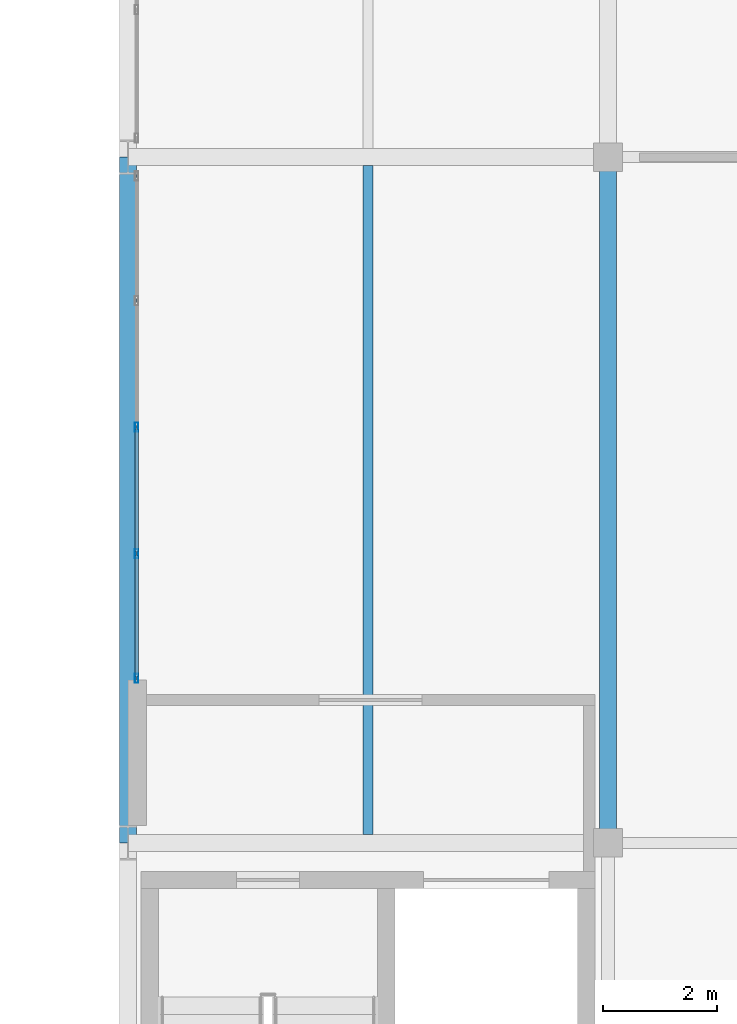
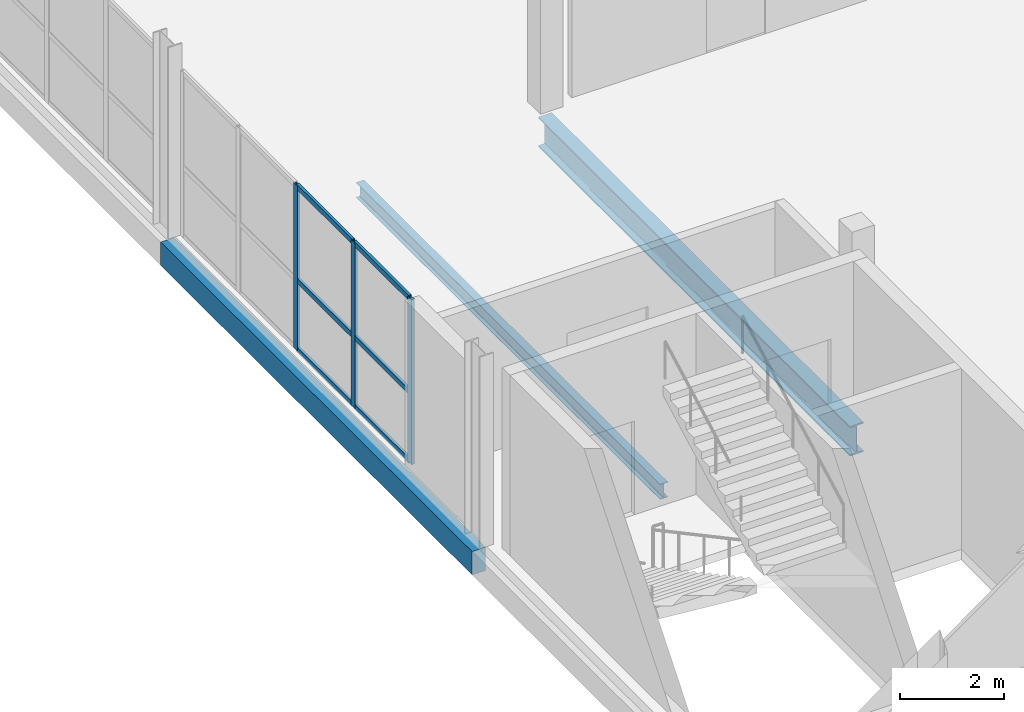
# One storey, part 74 of 109: 9 members, 3 beams, 1 element without a shape of its own.
"""IFC4 building model written with IfcOpenShell, lengths in metres."""

from ifc_helpers import new_model, si_unit, direction, frame, origin, origin_2d, place, context, subcontext, project, spatial, rectangle, hollow_rectangle, i_section, extrude, material, material_profile, profile_set, type_object, element, aggregate, save


model = new_model("IFC4")

# Units and contexts
model_context = context("Model", 3, precision=1e-05, world=origin(), true_north=direction((0.0, 1.0)))
body_context = subcontext(model_context, "Body", "Model", "MODEL_VIEW")
ifc_project = project(units=[si_unit("LENGTHUNIT", "METRE"), si_unit("AREAUNIT", "SQUARE_METRE"), si_unit("VOLUMEUNIT", "CUBIC_METRE"), si_unit("PLANEANGLEUNIT", "RADIAN"), si_unit("MASSUNIT", "GRAM", prefix="KILO")], contexts=[model_context])

# Site, building, storey
site_placement = place(None, origin())
site = spatial("IfcSite", under=ifc_project, at=site_placement, CompositionType="ELEMENT")
building_placement = place(site_placement, origin())
building = spatial("IfcBuilding", under=site, at=building_placement, Name="Veltarok Museum of Natural Sciences", CompositionType="ELEMENT")
storey_placement = place(building_placement, frame((0.0, 0.0, 17.39990234375)))
storey = spatial("IfcBuildingStorey", under=building, at=storey_placement, Name="L03", CompositionType="ELEMENT", Elevation=17.39990234375)

# Curtain wall, members
ifc_material_1 = material(Name="Low-iron triple insulated glass", Category="glass")
curtain_wall_type = type_object("IfcCurtainWallType", Name="Curtain Wall System CW-V5CW-L03-0-885x388 (CW-V5CW L03 885x388cm)", PredefinedType="NOTDEFINED", material=ifc_material_1)
curtain_wall_placement = place(storey_placement, origin())
curtain_wall = element("IfcCurtainWall", 1, at=curtain_wall_placement, inside=storey, type_object=curtain_wall_type, Name="Curtain Wall CW-V5CW-L03-0-885x388 CW-0180", PredefinedType="NOTDEFINED")
ifc_material_2 = material(Name="Thermally broken anodised aluminium", Category="aluminium")
ifc_material_profile_1 = material_profile(ifc_material_2, hollow_rectangle(XDim=0.06005859375, YDim=0.1201171875, WallThickness=0.0048828125, at=origin_2d()), Name="CW TRANSOM 60x120x5")
ifc_profile_set_1 = profile_set([ifc_material_profile_1], Name="Thermally broken anodised aluminium")
member_type_1 = type_object("IfcMemberType", Name="Curtain Wall Horizontal Transom 60x120x5", PredefinedType="USERDEFINED", material=ifc_profile_set_1)
member_1_placement = place(storey_placement, frame((132.550048828125, 38.909912109375, 0.028076171875), z_axis=(0.0, 1.0, 0.0), x_axis=(-1.0, 0.0, 0.0)))
member_1 = element("IfcMember", 2, at=member_1_placement, type_object=member_type_1, Name="CW-V5CW-L03-0-885x388 transom 1.1", ObjectType="TRANSOM", PredefinedType="USERDEFINED", context=body_context, shape_type="SweptSolid", body=[
    extrude(hollow_rectangle(XDim=0.06005859375, YDim=0.1201171875, WallThickness=0.0048828125, at=origin_2d()), origin(), (0.0, 0.0, 1.0), 2.12255859375),
])
member_2_placement = place(storey_placement, frame((132.550048828125, 38.909912109375, 1.648193359375), z_axis=(0.0, 1.0, 0.0), x_axis=(-1.0, 0.0, 0.0)))
member_2 = element("IfcMember", 3, at=member_2_placement, type_object=member_type_1, Name="CW-V5CW-L03-0-885x388 transom 1.2", ObjectType="TRANSOM", PredefinedType="USERDEFINED", context=body_context, shape_type="SweptSolid", body=[
    extrude(hollow_rectangle(XDim=0.06005859375, YDim=0.1201171875, WallThickness=0.0048828125, at=origin_2d()), origin(), (0.0, 0.0, 1.0), 2.12255859375),
])
member_3_placement = place(storey_placement, frame((132.550048828125, 38.909912109375, 3.85009765625), z_axis=(0.0, 1.0, 0.0), x_axis=(-1.0, 0.0, 0.0)))
member_3 = element("IfcMember", 4, at=member_3_placement, type_object=member_type_1, Name="CW-V5CW-L03-0-885x388 transom 1.3", ObjectType="TRANSOM", PredefinedType="USERDEFINED", context=body_context, shape_type="SweptSolid", body=[
    extrude(hollow_rectangle(XDim=0.06005859375, YDim=0.1201171875, WallThickness=0.0048828125, at=origin_2d()), origin(), (0.0, 0.0, 1.0), 2.12255859375),
])
member_4_placement = place(storey_placement, frame((132.550048828125, 41.092529296875, 0.028076171875), z_axis=(0.0, 1.0, 0.0), x_axis=(-1.0, 0.0, 0.0)))
member_4 = element("IfcMember", 5, at=member_4_placement, type_object=member_type_1, Name="CW-V5CW-L03-0-885x388 transom 2.1", ObjectType="TRANSOM", PredefinedType="USERDEFINED", context=body_context, shape_type="SweptSolid", body=[
    extrude(hollow_rectangle(XDim=0.06005859375, YDim=0.1201171875, WallThickness=0.0048828125, at=origin_2d()), origin(), (0.0, 0.0, 1.0), 2.152587890625),
])
member_5_placement = place(storey_placement, frame((132.550048828125, 41.092529296875, 1.648193359375), z_axis=(0.0, 1.0, 0.0), x_axis=(-1.0, 0.0, 0.0)))
member_5 = element("IfcMember", 6, at=member_5_placement, type_object=member_type_1, Name="CW-V5CW-L03-0-885x388 transom 2.2", ObjectType="TRANSOM", PredefinedType="USERDEFINED", context=body_context, shape_type="SweptSolid", body=[
    extrude(hollow_rectangle(XDim=0.06005859375, YDim=0.1201171875, WallThickness=0.0048828125, at=origin_2d()), origin(), (0.0, 0.0, 1.0), 2.152587890625),
])
member_6_placement = place(storey_placement, frame((132.550048828125, 41.092529296875, 3.85009765625), z_axis=(0.0, 1.0, 0.0), x_axis=(-1.0, 0.0, 0.0)))
member_6 = element("IfcMember", 7, at=member_6_placement, type_object=member_type_1, Name="CW-V5CW-L03-0-885x388 transom 2.3", ObjectType="TRANSOM", PredefinedType="USERDEFINED", context=body_context, shape_type="SweptSolid", body=[
    extrude(hollow_rectangle(XDim=0.06005859375, YDim=0.1201171875, WallThickness=0.0048828125, at=origin_2d()), origin(), (0.0, 0.0, 1.0), 2.152587890625),
])
ifc_material_profile_2 = material_profile(ifc_material_2, hollow_rectangle(XDim=0.06005859375, YDim=0.159912109375, WallThickness=0.0048828125, at=origin_2d()), Name="CW MULLION 60x160x5")
ifc_profile_set_2 = profile_set([ifc_material_profile_2], Name="Thermally broken anodised aluminium")
member_type_2 = type_object("IfcMemberType", Name="Curtain Wall Vertical Mullion 60x160x5", PredefinedType="MULLION", material=ifc_profile_set_2)
member_7_placement = place(storey_placement, frame((132.550048828125, 38.8798828125, -0.001953125), z_axis=(0.0, 0.0, 1.0), x_axis=(-1.0, 0.0, 0.0)))
member_7 = element("IfcMember", 8, at=member_7_placement, type_object=member_type_2, Name="CW-V5CW-L03-0-885x388 mullion 1", PredefinedType="MULLION", context=body_context, shape_type="SweptSolid", body=[
    extrude(hollow_rectangle(XDim=0.06005859375, YDim=0.159912109375, WallThickness=0.0048828125, at=origin_2d()), origin(), (0.0, 0.0, 1.0), 3.882080078125),
])
member_8_placement = place(storey_placement, frame((132.550048828125, 41.0625, -0.001953125), z_axis=(0.0, 0.0, 1.0), x_axis=(-1.0, 0.0, 0.0)))
member_8 = element("IfcMember", 9, at=member_8_placement, type_object=member_type_2, Name="CW-V5CW-L03-0-885x388 mullion 2", PredefinedType="MULLION", context=body_context, shape_type="SweptSolid", body=[
    extrude(hollow_rectangle(XDim=0.06005859375, YDim=0.159912109375, WallThickness=0.0048828125, at=origin_2d()), origin(), (0.0, 0.0, 1.0), 3.882080078125),
])
member_9_placement = place(storey_placement, frame((132.550048828125, 43.27490234375, -0.001953125), z_axis=(0.0, 0.0, 1.0), x_axis=(-1.0, 0.0, 0.0)))
member_9 = element("IfcMember", 10, at=member_9_placement, type_object=member_type_2, Name="CW-V5CW-L03-0-885x388 mullion 3", PredefinedType="MULLION", context=body_context, shape_type="SweptSolid", body=[
    extrude(hollow_rectangle(XDim=0.06005859375, YDim=0.159912109375, WallThickness=0.0048828125, at=origin_2d()), origin(), (0.0, 0.0, 1.0), 3.882080078125),
])
aggregate(curtain_wall, [member_7, member_8, member_9, member_1, member_2, member_3, member_4, member_5, member_6])

# Beams
ifc_material_3 = material(Name="Precast concrete C40/50", Category="concrete")
ifc_material_profile_3 = material_profile(ifc_material_3, rectangle(XDim=0.300048828125, YDim=0.550048828125, at=origin_2d()), Name="RC 300x550")
ifc_profile_set_3 = profile_set([ifc_material_profile_3], Name="Precast concrete C40/50")
beam_type_1 = type_object("IfcBeamType", Name="East Wing Precast Spandrel RC 300x550", PredefinedType="SPANDREL", material=ifc_profile_set_3)
beam_1_placement = place(storey_placement, frame((132.39990234375, 36.0, -0.52490234375), z_axis=(0.0, 1.0, 0.0), x_axis=(-1.0, 0.0, 0.0)))
element("IfcBeam", 11, at=beam_1_placement, inside=storey, type_object=beam_type_1, Name="Beam BM-SP02 L03 16/E-F", PredefinedType="SPANDREL", context=body_context, shape_type="SweptSolid", body=[
    extrude(rectangle(XDim=0.300048828125, YDim=0.550048828125, at=origin_2d()), origin(), (0.0, 0.0, 1.0), 12.0),
])
ifc_material_4 = material(Name="Steel S355J2", Category="steel")
ifc_material_profile_4 = material_profile(ifc_material_4, i_section(OverallWidth=0.169921875, OverallDepth=0.360107421875, WebThickness=0.008056640625, FlangeThickness=0.0126953125, FilletRadius=0.01806640625, at=origin_2d()), Name="IPE 360")
ifc_profile_set_4 = profile_set([ifc_material_profile_4], Name="Steel S355J2")
beam_type_2 = type_object("IfcBeamType", Name="Long-Bay Composite Joist IPE 360", PredefinedType="JOIST", material=ifc_profile_set_4)
beam_2_placement = place(storey_placement, frame((136.60009765625, 36.14794921875, -0.429931640625), z_axis=(0.0, 1.0, 0.0), x_axis=(-1.0, 0.0, 0.0)))
element("IfcBeam", 12, at=beam_2_placement, inside=storey, type_object=beam_type_2, Name="Secondary Joist BM-J01 L03 16-17/E-F.1", PredefinedType="JOIST", context=body_context, shape_type="SweptSolid", body=[
    extrude(i_section(OverallWidth=0.169921875, OverallDepth=0.360107421875, WebThickness=0.008056640625, FlangeThickness=0.0126953125, FilletRadius=0.01806640625, at=origin_2d()), origin(), (0.0, 0.0, 1.0), 11.7041015625),
])
ifc_material_profile_5 = material_profile(ifc_material_4, i_section(OverallWidth=0.300048828125, OverallDepth=0.699951171875, WebThickness=0.01708984375, FlangeThickness=0.031982421875, FilletRadius=0.027099609375, at=origin_2d()), Name="HEB 700")
ifc_profile_set_5 = profile_set([ifc_material_profile_5], Name="Steel S355J2")
beam_type_3 = type_object("IfcBeamType", Name="Long-Span Hall Girder HEB 700", PredefinedType="BEAM", material=ifc_profile_set_5)
beam_3_placement = place(storey_placement, frame((140.800048828125, 36.0, -0.599853515625), z_axis=(0.0, 1.0, 0.0), x_axis=(-1.0, 0.0, 0.0)))
element("IfcBeam", 13, at=beam_3_placement, inside=storey, type_object=beam_type_3, Name="Beam BM-G01 L03 17/E-F", PredefinedType="BEAM", context=body_context, shape_type="SweptSolid", body=[
    extrude(i_section(OverallWidth=0.300048828125, OverallDepth=0.699951171875, WebThickness=0.01708984375, FlangeThickness=0.031982421875, FilletRadius=0.027099609375, at=origin_2d()), origin(), (0.0, 0.0, 1.0), 12.0),
])

save(model, "model.ifc")
